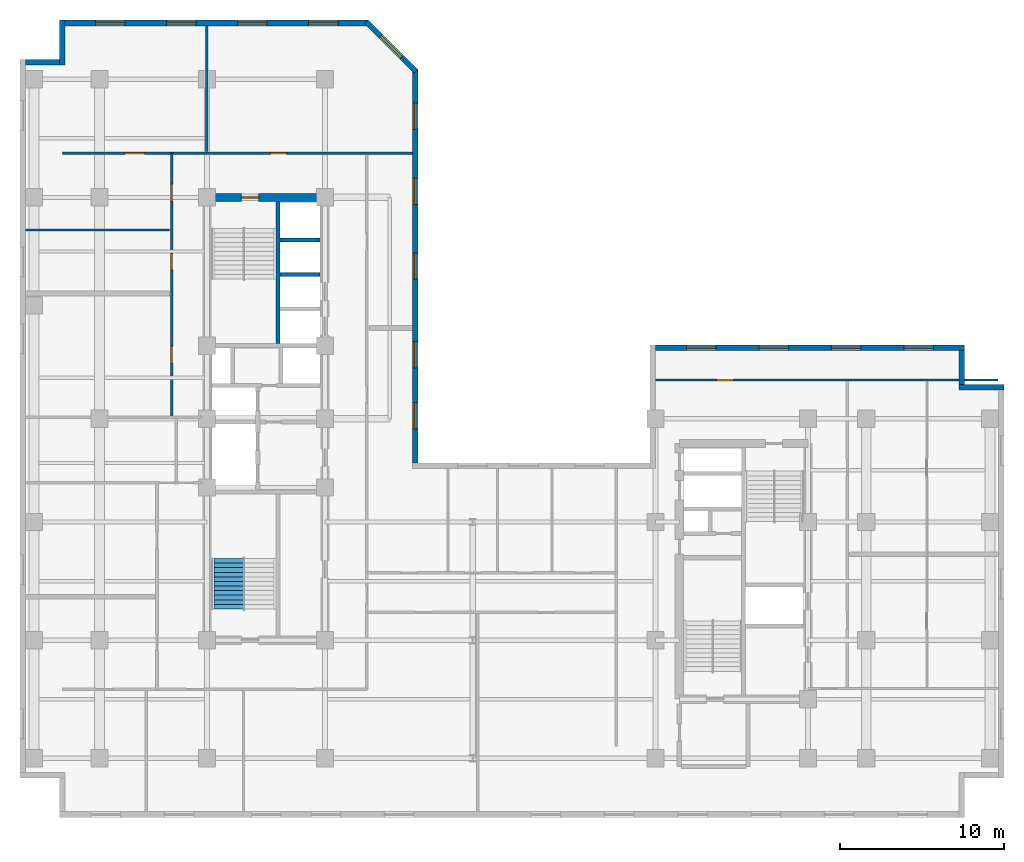
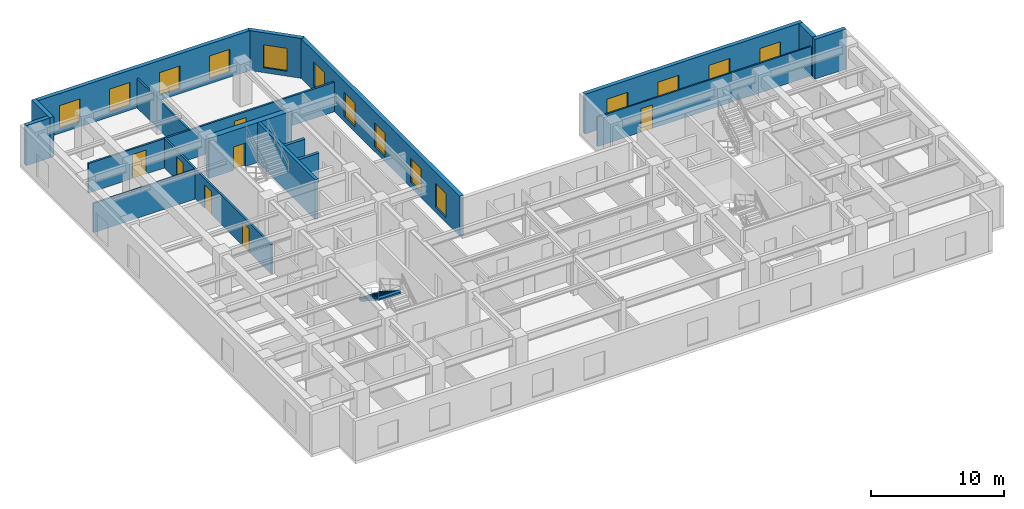
# One storey, part 6 of 10: 17 walls, 14 windows, 7 doors, 1 stair flight, 21 openings, 1 element without a shape of its own.
"""IFC4 building model written with IfcOpenShell, lengths in metres."""

from ifc_helpers import new_model, entity, si_unit, converted_unit, direction, frame, origin_with_axes, origin_2d_with_axis, place, context, subcontext, project, spatial, polyline, rectangle, outline, extrude, material, layer, layer_set, type_object, element, fill, aggregate, save


model = new_model("IFC4")

# Units and contexts
model_context = context("Model", 3, precision=1e-05, world=origin_with_axes(), true_north=direction((0.0, 1.0)))
body_context = subcontext(model_context, "Body", "Model", "MODEL_VIEW")
ifc_project = project(units=[si_unit("LENGTHUNIT", "METRE"), si_unit("AREAUNIT", "SQUARE_METRE"), si_unit("VOLUMEUNIT", "CUBIC_METRE"), converted_unit("PLANEANGLEUNIT", "DEGREE", entity("IfcPlaneAngleMeasure", 0.017453292519943295), si_unit("PLANEANGLEUNIT", "RADIAN"), dimensions=[0, 0, 0, 0, 0, 0, 0]), si_unit("MASSUNIT", "GRAM", prefix="KILO"), si_unit("THERMODYNAMICTEMPERATUREUNIT", "KELVIN")], contexts=[model_context])

# Site, building, storey
site_placement = place(None, origin_with_axes())
site = spatial("IfcSite", under=ifc_project, at=site_placement, CompositionType="ELEMENT")
building_placement = place(site_placement, origin_with_axes())
building = spatial("IfcBuilding", under=site, at=building_placement, Name="Varnlund Millrace Tower", CompositionType="ELEMENT")
storey_placement = place(building_placement, frame((0.0, 0.0, 168.0), z_axis=(0.0, 0.0, 1.0), x_axis=(1.0, 0.0, 0.0)))
storey = spatial("IfcBuildingStorey", under=building, at=storey_placement, Name="L41", CompositionType="ELEMENT", Elevation=168.0)

# Wall, opening, door
ifc_material_1 = material(Name="Concrete C70/85", Category="concrete")
ifc_layer_1 = layer(ifc_material_1, 0.5, Name="Concrete C70/85")
ifc_layer_set_1 = layer_set([ifc_layer_1], Name="Concrete C70/85")
wall_type_1 = type_object("IfcWallType", Name="Type-CoreWall-Shear-500-C70", PredefinedType="SHEAR", material=ifc_layer_set_1)
wall_1_placement = place(storey_placement, frame((11.4, 37.8, 0.0), z_axis=(0.0, 0.0, 1.0), x_axis=(1.0, 0.0, 0.0)))
wall_1 = element("IfcWall", 1, at=wall_1_placement, inside=storey, type_object=wall_type_1, Name="Type-CoreWall-Shear-500-C70", PredefinedType="SHEAR", context=body_context, shape_type="SweptSolid", body=[
    extrude(outline(polyline([(0.0, -0.25), (7.2, -0.25), (7.2, 0.25), (0.0, 0.25), (0.0, -0.25)])), origin_with_axes(), (0.0, 0.0, 1.0), 3.66),
])
opening_1_placement = place(wall_1_placement, frame((2.625, 0.0, 0.0), z_axis=(0.0, 0.0, 1.0), x_axis=(1.0, 0.0, 0.0)))
opening_1 = element("IfcOpeningElement", 2, at=opening_1_placement, cuts=wall_1, Name="Opening L41:DR-STA2", PredefinedType="OPENING", context=body_context, shape_type="SweptSolid", body=[
    extrude(rectangle(XDim=1.05, YDim=0.52, at=origin_2d_with_axis()), origin_with_axes(), (0.0, 0.0, 1.0), 2.15),
])
ifc_material_2 = material(Name="Fire-rated hollow steel door", Category="steel")
door_type_1 = type_object("IfcDoorType", Name="Type-FireDoor-Stair-1050X2150", OperationType="NOTDEFINED", PredefinedType="DOOR", material=ifc_material_2)
door_1_placement = place(wall_1_placement, frame((2.625, 0.0, 0.0), z_axis=(0.0, 0.0, 1.0), x_axis=(1.0, 0.0, 0.0)))
door_1 = element("IfcDoor", 3, at=door_1_placement, inside=storey, type_object=door_type_1, Name="Type-FireDoor-Stair-1050X2150", OperationType="SINGLE_SWING_RIGHT", OverallHeight=2.15, OverallWidth=1.05, PredefinedType="DOOR", context=body_context, shape_type="SweptSolid", body=[
    extrude(rectangle(XDim=1.05, YDim=0.09, at=origin_2d_with_axis()), origin_with_axes(), (0.0, 0.0, 1.0), 2.15),
])
fill(opening_1, door_1)

# Wall, openings, windows
ifc_material_3 = material(Name="Precast concrete C50/60", Category="concrete")
ifc_layer_2 = layer(ifc_material_3, 0.34, Name="Precast concrete C50/60")
ifc_layer_set_2 = layer_set([ifc_layer_2], Name="Precast concrete C50/60")
wall_type_2 = type_object("IfcWallType", Name="Type-ExtWall-Precast-Upper-340", PredefinedType="SOLIDWALL", material=ifc_layer_set_2)
wall_2_placement = place(storey_placement, frame((38.74, 28.63, 0.0), z_axis=(0.0, 0.0, 1.0), x_axis=(1.0, 0.0, 0.0)))
wall_2 = element("IfcWall", 4, at=wall_2_placement, inside=storey, type_object=wall_type_2, Name="Type-ExtWall-Precast-Upper-340", PredefinedType="SOLIDWALL", context=body_context, shape_type="SweptSolid", body=[
    extrude(outline(polyline([(0.0, -0.17), (18.86, -0.17), (18.86, 0.17), (0.0, 0.17), (0.0, -0.17)])), origin_with_axes(), (0.0, 0.0, 1.0), 3.66),
])
opening_2_placement = place(wall_2_placement, frame((2.808, 0.0, 0.45), z_axis=(0.0, 0.0, 1.0), x_axis=(1.0, 0.0, 0.0)))
opening_2 = element("IfcOpeningElement", 5, at=opening_2_placement, cuts=wall_2, Name="Opening L41:WN-01", PredefinedType="OPENING", context=body_context, shape_type="SweptSolid", body=[
    extrude(rectangle(XDim=1.8, YDim=0.36, at=origin_2d_with_axis()), origin_with_axes(), (0.0, 0.0, 1.0), 2.1),
])
opening_3_placement = place(wall_2_placement, frame((7.222, 0.0, 0.45), z_axis=(0.0, 0.0, 1.0), x_axis=(1.0, 0.0, 0.0)))
opening_3 = element("IfcOpeningElement", 6, at=opening_3_placement, cuts=wall_2, Name="Opening L41:WN-02", PredefinedType="OPENING", context=body_context, shape_type="SweptSolid", body=[
    extrude(rectangle(XDim=1.8, YDim=0.36, at=origin_2d_with_axis()), origin_with_axes(), (0.0, 0.0, 1.0), 2.1),
])
opening_4_placement = place(wall_2_placement, frame((11.637, 0.0, 0.45), z_axis=(0.0, 0.0, 1.0), x_axis=(1.0, 0.0, 0.0)))
opening_4 = element("IfcOpeningElement", 7, at=opening_4_placement, cuts=wall_2, Name="Opening L41:WN-03", PredefinedType="OPENING", context=body_context, shape_type="SweptSolid", body=[
    extrude(rectangle(XDim=1.8, YDim=0.36, at=origin_2d_with_axis()), origin_with_axes(), (0.0, 0.0, 1.0), 2.1),
])
opening_5_placement = place(wall_2_placement, frame((16.053, 0.0, 0.45), z_axis=(0.0, 0.0, 1.0), x_axis=(1.0, 0.0, 0.0)))
opening_5 = element("IfcOpeningElement", 8, at=opening_5_placement, cuts=wall_2, Name="Opening L41:WN-04", PredefinedType="OPENING", context=body_context, shape_type="SweptSolid", body=[
    extrude(rectangle(XDim=1.8, YDim=0.36, at=origin_2d_with_axis()), origin_with_axes(), (0.0, 0.0, 1.0), 2.1),
])
ifc_material_4 = material(Name="Argon low-e triple glazing in thermally broken bronze frame", Category="glass")
window_type_1 = type_object("IfcWindowType", Name="Type-Window-Punched-1800X2100", PartitioningType="SINGLE_PANEL", PredefinedType="WINDOW", material=ifc_material_4)
window_1_placement = place(wall_2_placement, frame((2.808, 0.0, 0.45), z_axis=(0.0, 0.0, 1.0), x_axis=(1.0, 0.0, 0.0)))
window_1 = element("IfcWindow", 9, at=window_1_placement, inside=storey, type_object=window_type_1, Name="Type-Window-Punched-1800X2100", OverallHeight=2.1, OverallWidth=1.8, PredefinedType="WINDOW", context=body_context, shape_type="SweptSolid", body=[
    extrude(rectangle(XDim=1.8, YDim=0.09, at=origin_2d_with_axis()), origin_with_axes(), (0.0, 0.0, 1.0), 2.1),
])
fill(opening_2, window_1)
window_2_placement = place(wall_2_placement, frame((7.222, 0.0, 0.45), z_axis=(0.0, 0.0, 1.0), x_axis=(1.0, 0.0, 0.0)))
window_2 = element("IfcWindow", 10, at=window_2_placement, inside=storey, type_object=window_type_1, Name="Type-Window-Punched-1800X2100", OverallHeight=2.1, OverallWidth=1.8, PredefinedType="WINDOW", context=body_context, shape_type="SweptSolid", body=[
    extrude(rectangle(XDim=1.8, YDim=0.09, at=origin_2d_with_axis()), origin_with_axes(), (0.0, 0.0, 1.0), 2.1),
])
fill(opening_3, window_2)
window_3_placement = place(wall_2_placement, frame((11.637, 0.0, 0.45), z_axis=(0.0, 0.0, 1.0), x_axis=(1.0, 0.0, 0.0)))
window_3 = element("IfcWindow", 11, at=window_3_placement, inside=storey, type_object=window_type_1, Name="Type-Window-Punched-1800X2100", OverallHeight=2.1, OverallWidth=1.8, PredefinedType="WINDOW", context=body_context, shape_type="SweptSolid", body=[
    extrude(rectangle(XDim=1.8, YDim=0.09, at=origin_2d_with_axis()), origin_with_axes(), (0.0, 0.0, 1.0), 2.1),
])
fill(opening_4, window_3)
window_4_placement = place(wall_2_placement, frame((16.053, 0.0, 0.45), z_axis=(0.0, 0.0, 1.0), x_axis=(1.0, 0.0, 0.0)))
window_4 = element("IfcWindow", 12, at=window_4_placement, inside=storey, type_object=window_type_1, Name="Type-Window-Punched-1800X2100", OverallHeight=2.1, OverallWidth=1.8, PredefinedType="WINDOW", context=body_context, shape_type="SweptSolid", body=[
    extrude(rectangle(XDim=1.8, YDim=0.09, at=origin_2d_with_axis()), origin_with_axes(), (0.0, 0.0, 1.0), 2.1),
])
fill(opening_5, window_4)

# Walls
wall_3_placement = place(storey_placement, frame((57.43, 28.46, 0.0), z_axis=(0.0, 0.0, 1.0), x_axis=(0.0, -1.0, 0.0)))
element("IfcWall", 13, at=wall_3_placement, inside=storey, type_object=wall_type_2, Name="Type-ExtWall-Precast-Upper-340", PredefinedType="SOLIDWALL", context=body_context, shape_type="SweptSolid", body=[
    extrude(outline(polyline([(0.0, -0.17), (2.06, -0.17), (2.06, 0.17), (0.0, 0.17), (0.0, -0.17)])), origin_with_axes(), (0.0, 0.0, 1.0), 3.66),
])
wall_4_placement = place(storey_placement, frame((57.26, 26.23, 0.0), z_axis=(0.0, 0.0, 1.0), x_axis=(1.0, 0.0, 0.0)))
element("IfcWall", 14, at=wall_4_placement, inside=storey, type_object=wall_type_2, Name="Type-ExtWall-Precast-Upper-340", PredefinedType="SOLIDWALL", context=body_context, shape_type="SweptSolid", body=[
    extrude(outline(polyline([(0.0, -0.17), (2.74, -0.17), (2.74, 0.17), (0.0, 0.17), (0.0, -0.17)])), origin_with_axes(), (0.0, 0.0, 1.0), 3.66),
])
wall_5_placement = place(storey_placement, frame((0.34, 46.03, 0.0), z_axis=(0.0, 0.0, 1.0), x_axis=(1.0, 0.0, 0.0)))
element("IfcWall", 15, at=wall_5_placement, inside=storey, type_object=wall_type_2, Name="Type-ExtWall-Precast-Upper-340", PredefinedType="SOLIDWALL", context=body_context, shape_type="SweptSolid", body=[
    extrude(outline(polyline([(0.0, -0.17), (2.06, -0.17), (2.06, 0.17), (0.0, 0.17), (0.0, -0.17)])), origin_with_axes(), (0.0, 0.0, 1.0), 3.66),
])
wall_6_placement = place(storey_placement, frame((2.57, 45.86, 0.0), z_axis=(0.0, 0.0, 1.0), x_axis=(0.0, 1.0, 0.0)))
element("IfcWall", 16, at=wall_6_placement, inside=storey, type_object=wall_type_2, Name="Type-ExtWall-Precast-Upper-340", PredefinedType="SOLIDWALL", context=body_context, shape_type="SweptSolid", body=[
    extrude(outline(polyline([(0.0, -0.17), (2.74, -0.17), (2.74, 0.17), (0.0, 0.17), (0.0, -0.17)])), origin_with_axes(), (0.0, 0.0, 1.0), 3.66),
])

# Wall, openings, windows
wall_7_placement = place(storey_placement, frame((2.74, 48.43, 0.0), z_axis=(0.0, 0.0, 1.0), x_axis=(1.0, 0.0, 0.0)))
wall_7 = element("IfcWall", 17, at=wall_7_placement, inside=storey, type_object=wall_type_2, Name="Type-ExtWall-Precast-Upper-340", PredefinedType="SOLIDWALL", context=body_context, shape_type="SweptSolid", body=[
    extrude(outline(polyline([(0.0, -0.17), (18.519, -0.17), (18.519, 0.17), (0.0, 0.17), (0.0, -0.17)])), origin_with_axes(), (0.0, 0.0, 1.0), 3.66),
])
opening_6_placement = place(wall_7_placement, frame((2.765, 0.0, 0.45), z_axis=(0.0, 0.0, 1.0), x_axis=(1.0, 0.0, 0.0)))
opening_6 = element("IfcOpeningElement", 18, at=opening_6_placement, cuts=wall_7, Name="Opening L41:WN-24", PredefinedType="OPENING", context=body_context, shape_type="SweptSolid", body=[
    extrude(rectangle(XDim=1.8, YDim=0.36, at=origin_2d_with_axis()), origin_with_axes(), (0.0, 0.0, 1.0), 2.1),
])
opening_7_placement = place(wall_7_placement, frame((7.095, 0.0, 0.45), z_axis=(0.0, 0.0, 1.0), x_axis=(1.0, 0.0, 0.0)))
opening_7 = element("IfcOpeningElement", 19, at=opening_7_placement, cuts=wall_7, Name="Opening L41:WN-25", PredefinedType="OPENING", context=body_context, shape_type="SweptSolid", body=[
    extrude(rectangle(XDim=1.8, YDim=0.36, at=origin_2d_with_axis()), origin_with_axes(), (0.0, 0.0, 1.0), 2.1),
])
opening_8_placement = place(wall_7_placement, frame((11.424, 0.0, 0.45), z_axis=(0.0, 0.0, 1.0), x_axis=(1.0, 0.0, 0.0)))
opening_8 = element("IfcOpeningElement", 20, at=opening_8_placement, cuts=wall_7, Name="Opening L41:WN-26", PredefinedType="OPENING", context=body_context, shape_type="SweptSolid", body=[
    extrude(rectangle(XDim=1.8, YDim=0.36, at=origin_2d_with_axis()), origin_with_axes(), (0.0, 0.0, 1.0), 2.1),
])
opening_9_placement = place(wall_7_placement, frame((15.754, 0.0, 0.45), z_axis=(0.0, 0.0, 1.0), x_axis=(1.0, 0.0, 0.0)))
opening_9 = element("IfcOpeningElement", 21, at=opening_9_placement, cuts=wall_7, Name="Opening L41:WN-27", PredefinedType="OPENING", context=body_context, shape_type="SweptSolid", body=[
    extrude(rectangle(XDim=1.8, YDim=0.36, at=origin_2d_with_axis()), origin_with_axes(), (0.0, 0.0, 1.0), 2.1),
])
window_5_placement = place(wall_7_placement, frame((2.765, 0.0, 0.45), z_axis=(0.0, 0.0, 1.0), x_axis=(1.0, 0.0, 0.0)))
window_5 = element("IfcWindow", 22, at=window_5_placement, inside=storey, type_object=window_type_1, Name="Type-Window-Punched-1800X2100", OverallHeight=2.1, OverallWidth=1.8, PredefinedType="WINDOW", context=body_context, shape_type="SweptSolid", body=[
    extrude(rectangle(XDim=1.8, YDim=0.09, at=origin_2d_with_axis()), origin_with_axes(), (0.0, 0.0, 1.0), 2.1),
])
fill(opening_6, window_5)
window_6_placement = place(wall_7_placement, frame((7.095, 0.0, 0.45), z_axis=(0.0, 0.0, 1.0), x_axis=(1.0, 0.0, 0.0)))
window_6 = element("IfcWindow", 23, at=window_6_placement, inside=storey, type_object=window_type_1, Name="Type-Window-Punched-1800X2100", OverallHeight=2.1, OverallWidth=1.8, PredefinedType="WINDOW", context=body_context, shape_type="SweptSolid", body=[
    extrude(rectangle(XDim=1.8, YDim=0.09, at=origin_2d_with_axis()), origin_with_axes(), (0.0, 0.0, 1.0), 2.1),
])
fill(opening_7, window_6)
window_7_placement = place(wall_7_placement, frame((11.424, 0.0, 0.45), z_axis=(0.0, 0.0, 1.0), x_axis=(1.0, 0.0, 0.0)))
window_7 = element("IfcWindow", 24, at=window_7_placement, inside=storey, type_object=window_type_1, Name="Type-Window-Punched-1800X2100", OverallHeight=2.1, OverallWidth=1.8, PredefinedType="WINDOW", context=body_context, shape_type="SweptSolid", body=[
    extrude(rectangle(XDim=1.8, YDim=0.09, at=origin_2d_with_axis()), origin_with_axes(), (0.0, 0.0, 1.0), 2.1),
])
fill(opening_8, window_7)
window_8_placement = place(wall_7_placement, frame((15.754, 0.0, 0.45), z_axis=(0.0, 0.0, 1.0), x_axis=(1.0, 0.0, 0.0)))
window_8 = element("IfcWindow", 25, at=window_8_placement, inside=storey, type_object=window_type_1, Name="Type-Window-Punched-1800X2100", OverallHeight=2.1, OverallWidth=1.8, PredefinedType="WINDOW", context=body_context, shape_type="SweptSolid", body=[
    extrude(rectangle(XDim=1.8, YDim=0.09, at=origin_2d_with_axis()), origin_with_axes(), (0.0, 0.0, 1.0), 2.1),
])
fill(opening_9, window_8)

# Wall, opening, window
wall_8_placement = place(storey_placement, frame((21.125, 48.494, 0.0), z_axis=(0.0, 0.0, 1.0), x_axis=(0.707107, -0.707107, 0.0)))
wall_8 = element("IfcWall", 26, at=wall_8_placement, inside=storey, type_object=wall_type_2, Name="Type-ExtWall-Precast-Upper-340", PredefinedType="SOLIDWALL", context=body_context, shape_type="SweptSolid", body=[
    extrude(outline(polyline([(0.0, -0.17), (4.26244, -0.17), (4.26244, 0.17), (0.0, 0.17), (0.0, -0.17)])), origin_with_axes(), (0.0, 0.0, 1.0), 3.66),
])
opening_10_placement = place(wall_8_placement, frame((2.131, 0.0, 0.45), z_axis=(0.0, 0.0, 1.0), x_axis=(1.0, 0.0, 0.0)))
opening_10 = element("IfcOpeningElement", 27, at=opening_10_placement, cuts=wall_8, Name="Opening L41:WN-28", PredefinedType="OPENING", context=body_context, shape_type="SweptSolid", body=[
    extrude(rectangle(XDim=1.8, YDim=0.36, at=origin_2d_with_axis()), origin_with_axes(), (0.0, 0.0, 1.0), 2.1),
])
window_9_placement = place(wall_8_placement, frame((2.131, 0.0, 0.45), z_axis=(0.0, 0.0, 1.0), x_axis=(1.0, 0.0, 0.0)))
window_9 = element("IfcWindow", 28, at=window_9_placement, inside=storey, type_object=window_type_1, Name="Type-Window-Punched-1800X2100", OverallHeight=2.1, OverallWidth=1.8, PredefinedType="WINDOW", context=body_context, shape_type="SweptSolid", body=[
    extrude(rectangle(XDim=1.8, YDim=0.09, at=origin_2d_with_axis()), origin_with_axes(), (0.0, 0.0, 1.0), 2.1),
])
fill(opening_10, window_9)

# Wall, openings, windows
wall_9_placement = place(storey_placement, frame((24.089, 45.62, 0.0), z_axis=(0.0, 0.0, 1.0), x_axis=(0.0, -1.0, 0.0)))
wall_9 = element("IfcWall", 29, at=wall_9_placement, inside=storey, type_object=wall_type_2, Name="Type-ExtWall-Precast-Upper-340", PredefinedType="SOLIDWALL", context=body_context, shape_type="SweptSolid", body=[
    extrude(outline(polyline([(0.0, -0.17), (24.02, -0.17), (24.02, 0.17), (0.0, 0.17), (0.0, -0.17)])), origin_with_axes(), (0.0, 0.0, 1.0), 3.66),
])
opening_11_placement = place(wall_9_placement, frame((2.882, 0.0, 0.45), z_axis=(0.0, 0.0, 1.0), x_axis=(1.0, 0.0, 0.0)))
opening_11 = element("IfcOpeningElement", 30, at=opening_11_placement, cuts=wall_9, Name="Opening L41:WN-29", PredefinedType="OPENING", context=body_context, shape_type="SweptSolid", body=[
    extrude(rectangle(XDim=1.6, YDim=0.36, at=origin_2d_with_axis()), origin_with_axes(), (0.0, 0.0, 1.0), 2.2),
])
opening_12_placement = place(wall_9_placement, frame((7.446, 0.0, 0.45), z_axis=(0.0, 0.0, 1.0), x_axis=(1.0, 0.0, 0.0)))
opening_12 = element("IfcOpeningElement", 31, at=opening_12_placement, cuts=wall_9, Name="Opening L41:WN-30", PredefinedType="OPENING", context=body_context, shape_type="SweptSolid", body=[
    extrude(rectangle(XDim=1.6, YDim=0.36, at=origin_2d_with_axis()), origin_with_axes(), (0.0, 0.0, 1.0), 2.2),
])
opening_13_placement = place(wall_9_placement, frame((12.01, 0.0, 0.45), z_axis=(0.0, 0.0, 1.0), x_axis=(1.0, 0.0, 0.0)))
opening_13 = element("IfcOpeningElement", 32, at=opening_13_placement, cuts=wall_9, Name="Opening L41:WN-31", PredefinedType="OPENING", context=body_context, shape_type="SweptSolid", body=[
    extrude(rectangle(XDim=1.6, YDim=0.36, at=origin_2d_with_axis()), origin_with_axes(), (0.0, 0.0, 1.0), 2.2),
])
opening_14_placement = place(wall_9_placement, frame((17.424, 0.0, 0.45), z_axis=(0.0, 0.0, 1.0), x_axis=(1.0, 0.0, 0.0)))
opening_14 = element("IfcOpeningElement", 33, at=opening_14_placement, cuts=wall_9, Name="Opening L41:WN-32", PredefinedType="OPENING", context=body_context, shape_type="SweptSolid", body=[
    extrude(rectangle(XDim=1.6, YDim=0.36, at=origin_2d_with_axis()), origin_with_axes(), (0.0, 0.0, 1.0), 2.2),
])
opening_15_placement = place(wall_9_placement, frame((21.138, 0.0, 0.45), z_axis=(0.0, 0.0, 1.0), x_axis=(1.0, 0.0, 0.0)))
opening_15 = element("IfcOpeningElement", 34, at=opening_15_placement, cuts=wall_9, Name="Opening L41:WN-33", PredefinedType="OPENING", context=body_context, shape_type="SweptSolid", body=[
    extrude(rectangle(XDim=1.6, YDim=0.36, at=origin_2d_with_axis()), origin_with_axes(), (0.0, 0.0, 1.0), 2.2),
])
window_type_2 = type_object("IfcWindowType", Name="Type-Window-Slot-1600X2200", PartitioningType="SINGLE_PANEL", PredefinedType="WINDOW", material=ifc_material_4)
window_10_placement = place(wall_9_placement, frame((2.882, 0.0, 0.45), z_axis=(0.0, 0.0, 1.0), x_axis=(1.0, 0.0, 0.0)))
window_10 = element("IfcWindow", 35, at=window_10_placement, inside=storey, type_object=window_type_2, Name="Type-Window-Slot-1600X2200", OverallHeight=2.2, OverallWidth=1.6, PredefinedType="WINDOW", context=body_context, shape_type="SweptSolid", body=[
    extrude(rectangle(XDim=1.6, YDim=0.09, at=origin_2d_with_axis()), origin_with_axes(), (0.0, 0.0, 1.0), 2.2),
])
fill(opening_11, window_10)
window_11_placement = place(wall_9_placement, frame((7.446, 0.0, 0.45), z_axis=(0.0, 0.0, 1.0), x_axis=(1.0, 0.0, 0.0)))
window_11 = element("IfcWindow", 36, at=window_11_placement, inside=storey, type_object=window_type_2, Name="Type-Window-Slot-1600X2200", OverallHeight=2.2, OverallWidth=1.6, PredefinedType="WINDOW", context=body_context, shape_type="SweptSolid", body=[
    extrude(rectangle(XDim=1.6, YDim=0.09, at=origin_2d_with_axis()), origin_with_axes(), (0.0, 0.0, 1.0), 2.2),
])
fill(opening_12, window_11)
window_12_placement = place(wall_9_placement, frame((12.01, 0.0, 0.45), z_axis=(0.0, 0.0, 1.0), x_axis=(1.0, 0.0, 0.0)))
window_12 = element("IfcWindow", 37, at=window_12_placement, inside=storey, type_object=window_type_2, Name="Type-Window-Slot-1600X2200", OverallHeight=2.2, OverallWidth=1.6, PredefinedType="WINDOW", context=body_context, shape_type="SweptSolid", body=[
    extrude(rectangle(XDim=1.6, YDim=0.09, at=origin_2d_with_axis()), origin_with_axes(), (0.0, 0.0, 1.0), 2.2),
])
fill(opening_13, window_12)
window_13_placement = place(wall_9_placement, frame((17.424, 0.0, 0.45), z_axis=(0.0, 0.0, 1.0), x_axis=(1.0, 0.0, 0.0)))
window_13 = element("IfcWindow", 38, at=window_13_placement, inside=storey, type_object=window_type_2, Name="Type-Window-Slot-1600X2200", OverallHeight=2.2, OverallWidth=1.6, PredefinedType="WINDOW", context=body_context, shape_type="SweptSolid", body=[
    extrude(rectangle(XDim=1.6, YDim=0.09, at=origin_2d_with_axis()), origin_with_axes(), (0.0, 0.0, 1.0), 2.2),
])
fill(opening_14, window_13)
window_14_placement = place(wall_9_placement, frame((21.138, 0.0, 0.45), z_axis=(0.0, 0.0, 1.0), x_axis=(1.0, 0.0, 0.0)))
window_14 = element("IfcWindow", 39, at=window_14_placement, inside=storey, type_object=window_type_2, Name="Type-Window-Slot-1600X2200", OverallHeight=2.2, OverallWidth=1.6, PredefinedType="WINDOW", context=body_context, shape_type="SweptSolid", body=[
    extrude(rectangle(XDim=1.6, YDim=0.09, at=origin_2d_with_axis()), origin_with_axes(), (0.0, 0.0, 1.0), 2.2),
])
fill(opening_15, window_14)

# Wall, openings, doors
ifc_material_5 = material(Name="Fire-rated gypsum board on cold-formed steel framing", Category="steel")
ifc_layer_3 = layer(ifc_material_5, 0.16, Name="Fire-rated gypsum board on cold-formed steel framing")
ifc_layer_set_3 = layer_set([ifc_layer_3], Name="Fire-rated gypsum board on cold-formed steel framing")
wall_type_3 = type_object("IfcWallType", Name="Type-Partition-Corridor-160", PredefinedType="PARTITIONING", material=ifc_layer_set_3)
wall_10_placement = place(storey_placement, frame((2.6, 40.5, 0.0), z_axis=(0.0, 0.0, 1.0), x_axis=(1.0, 0.0, 0.0)))
wall_10 = element("IfcWall", 40, at=wall_10_placement, inside=storey, type_object=wall_type_3, Name="Type-Partition-Corridor-160", PredefinedType="PARTITIONING", context=body_context, shape_type="SweptSolid", body=[
    extrude(outline(polyline([(0.0, -0.08), (21.324, -0.08), (21.324, 0.08), (0.0, 0.08), (0.0, -0.08)])), origin_with_axes(), (0.0, 0.0, 1.0), 2.7),
])
opening_16_placement = place(wall_10_placement, frame((4.395, 0.0, 0.0), z_axis=(0.0, 0.0, 1.0), x_axis=(1.0, 0.0, 0.0)))
opening_16 = element("IfcOpeningElement", 41, at=opening_16_placement, cuts=wall_10, Name="Opening L41:DR-WAN-01", PredefinedType="OPENING", context=body_context, shape_type="SweptSolid", body=[
    extrude(rectangle(XDim=1.2, YDim=0.18, at=origin_2d_with_axis()), origin_with_axes(), (0.0, 0.0, 1.0), 2.2),
])
opening_17_placement = place(wall_10_placement, frame((13.16, 0.0, 0.0), z_axis=(0.0, 0.0, 1.0), x_axis=(1.0, 0.0, 0.0)))
opening_17 = element("IfcOpeningElement", 42, at=opening_17_placement, cuts=wall_10, Name="Opening L41:DR-WAN-02", PredefinedType="OPENING", context=body_context, shape_type="SweptSolid", body=[
    extrude(rectangle(XDim=1.0, YDim=0.18, at=origin_2d_with_axis()), origin_with_axes(), (0.0, 0.0, 1.0), 2.15),
])
ifc_material_6 = material(Name="Wide executive white oak acoustic door")
door_type_2 = type_object("IfcDoorType", Name="Type-IntDoor-Exec-1200X2200", OperationType="NOTDEFINED", PredefinedType="DOOR", material=ifc_material_6)
door_2_placement = place(wall_10_placement, frame((4.395, 0.0, 0.0), z_axis=(0.0, 0.0, 1.0), x_axis=(1.0, 0.0, 0.0)))
door_2 = element("IfcDoor", 43, at=door_2_placement, inside=storey, type_object=door_type_2, Name="Type-IntDoor-Exec-1200X2200", OperationType="SINGLE_SWING_LEFT", OverallHeight=2.2, OverallWidth=1.2, PredefinedType="DOOR", context=body_context, shape_type="SweptSolid", body=[
    extrude(rectangle(XDim=1.2, YDim=0.09, at=origin_2d_with_axis()), origin_with_axes(), (0.0, 0.0, 1.0), 2.2),
])
fill(opening_16, door_2)
ifc_material_7 = material(Name="Solid-core white oak and bronze frame door")
door_type_3 = type_object("IfcDoorType", Name="Type-IntDoor-Office-1000X2150", OperationType="NOTDEFINED", PredefinedType="DOOR", material=ifc_material_7)
door_3_placement = place(wall_10_placement, frame((13.16, 0.0, 0.0), z_axis=(0.0, 0.0, 1.0), x_axis=(1.0, 0.0, 0.0)))
door_3 = element("IfcDoor", 44, at=door_3_placement, inside=storey, type_object=door_type_3, Name="Type-IntDoor-Office-1000X2150", OperationType="SINGLE_SWING_RIGHT", OverallHeight=2.15, OverallWidth=1.0, PredefinedType="DOOR", context=body_context, shape_type="SweptSolid", body=[
    extrude(rectangle(XDim=1.0, YDim=0.09, at=origin_2d_with_axis()), origin_with_axes(), (0.0, 0.0, 1.0), 2.15),
])
fill(opening_17, door_3)

wall_11_placement = place(storey_placement, frame((9.25, 24.4, 0.0), z_axis=(0.0, 0.0, 1.0), x_axis=(0.0, 1.0, 0.0)))
wall_11 = element("IfcWall", 45, at=wall_11_placement, inside=storey, type_object=wall_type_3, Name="Type-Partition-Corridor-160", PredefinedType="PARTITIONING", context=body_context, shape_type="SweptSolid", body=[
    extrude(outline(polyline([(0.0, -0.08), (16.1, -0.08), (16.1, 0.08), (0.0, 0.08), (0.0, -0.08)])), origin_with_axes(), (0.0, 0.0, 1.0), 2.7),
])
opening_18_placement = place(wall_11_placement, frame((3.8075, 0.0, 0.0), z_axis=(0.0, 0.0, 1.0), x_axis=(1.0, 0.0, 0.0)))
opening_18 = element("IfcOpeningElement", 46, at=opening_18_placement, cuts=wall_11, Name="Opening L41:DR-WN-01", PredefinedType="OPENING", context=body_context, shape_type="SweptSolid", body=[
    extrude(rectangle(XDim=1.0, YDim=0.18, at=origin_2d_with_axis()), origin_with_axes(), (0.0, 0.0, 1.0), 2.15),
])
opening_19_placement = place(wall_11_placement, frame((9.467, 0.0, 0.0), z_axis=(0.0, 0.0, 1.0), x_axis=(1.0, 0.0, 0.0)))
opening_19 = element("IfcOpeningElement", 47, at=opening_19_placement, cuts=wall_11, Name="Opening L41:DR-WN-02", PredefinedType="OPENING", context=body_context, shape_type="SweptSolid", body=[
    extrude(rectangle(XDim=1.0, YDim=0.18, at=origin_2d_with_axis()), origin_with_axes(), (0.0, 0.0, 1.0), 2.15),
])
opening_20_placement = place(wall_11_placement, frame((13.6845, 0.0, 0.0), z_axis=(0.0, 0.0, 1.0), x_axis=(1.0, 0.0, 0.0)))
opening_20 = element("IfcOpeningElement", 48, at=opening_20_placement, cuts=wall_11, Name="Opening L41:DR-WN-03", PredefinedType="OPENING", context=body_context, shape_type="SweptSolid", body=[
    extrude(rectangle(XDim=1.0, YDim=0.18, at=origin_2d_with_axis()), origin_with_axes(), (0.0, 0.0, 1.0), 2.15),
])
door_4_placement = place(wall_11_placement, frame((3.8075, 0.0, 0.0), z_axis=(0.0, 0.0, 1.0), x_axis=(1.0, 0.0, 0.0)))
door_4 = element("IfcDoor", 49, at=door_4_placement, inside=storey, type_object=door_type_3, Name="Type-IntDoor-Office-1000X2150", OperationType="SINGLE_SWING_LEFT", OverallHeight=2.15, OverallWidth=1.0, PredefinedType="DOOR", context=body_context, shape_type="SweptSolid", body=[
    extrude(rectangle(XDim=1.0, YDim=0.09, at=origin_2d_with_axis()), origin_with_axes(), (0.0, 0.0, 1.0), 2.15),
])
fill(opening_18, door_4)
door_5_placement = place(wall_11_placement, frame((9.467, 0.0, 0.0), z_axis=(0.0, 0.0, 1.0), x_axis=(1.0, 0.0, 0.0)))
door_5 = element("IfcDoor", 50, at=door_5_placement, inside=storey, type_object=door_type_3, Name="Type-IntDoor-Office-1000X2150", OperationType="SINGLE_SWING_RIGHT", OverallHeight=2.15, OverallWidth=1.0, PredefinedType="DOOR", context=body_context, shape_type="SweptSolid", body=[
    extrude(rectangle(XDim=1.0, YDim=0.09, at=origin_2d_with_axis()), origin_with_axes(), (0.0, 0.0, 1.0), 2.15),
])
fill(opening_19, door_5)
door_6_placement = place(wall_11_placement, frame((13.6845, 0.0, 0.0), z_axis=(0.0, 0.0, 1.0), x_axis=(1.0, 0.0, 0.0)))
door_6 = element("IfcDoor", 51, at=door_6_placement, inside=storey, type_object=door_type_3, Name="Type-IntDoor-Office-1000X2150", OperationType="SINGLE_SWING_LEFT", OverallHeight=2.15, OverallWidth=1.0, PredefinedType="DOOR", context=body_context, shape_type="SweptSolid", body=[
    extrude(rectangle(XDim=1.0, YDim=0.09, at=origin_2d_with_axis()), origin_with_axes(), (0.0, 0.0, 1.0), 2.15),
])
fill(opening_20, door_6)

# Walls
ifc_material_8 = material(Name="Acoustic STC-50 gypsum board partition", Category="gypsum")
ifc_layer_4 = layer(ifc_material_8, 0.15, Name="Acoustic STC-50 gypsum board partition")
ifc_layer_set_4 = layer_set([ifc_layer_4], Name="Acoustic STC-50 gypsum board partition")
wall_type_4 = type_object("IfcWallType", Name="Type-Partition-Demising-150", PredefinedType="PARTITIONING", material=ifc_layer_set_4)
wall_12_placement = place(storey_placement, frame((11.4, 40.6, 0.0), z_axis=(0.0, 0.0, 1.0), x_axis=(0.0, 1.0, 0.0)))
element("IfcWall", 52, at=wall_12_placement, inside=storey, type_object=wall_type_4, Name="Type-Partition-Demising-150", PredefinedType="PARTITIONING", context=body_context, shape_type="SweptSolid", body=[
    extrude(outline(polyline([(0.0, -0.075), (7.665, -0.075), (7.665, 0.075), (0.0, 0.075), (0.0, -0.075)])), origin_with_axes(), (0.0, 0.0, 1.0), 2.7),
])
ifc_material_9 = material(Name="Gypsum board tenant partition", Category="gypsum")
ifc_layer_5 = layer(ifc_material_9, 0.125, Name="Gypsum board tenant partition")
ifc_layer_set_5 = layer_set([ifc_layer_5], Name="Gypsum board tenant partition")
wall_type_5 = type_object("IfcWallType", Name="Type-Partition-Tenant-125", PredefinedType="PARTITIONING", material=ifc_layer_set_5)
wall_13_placement = place(storey_placement, frame((0.335, 35.799, 0.0), z_axis=(0.0, 0.0, 1.0), x_axis=(1.0, 0.0, 0.0)))
element("IfcWall", 53, at=wall_13_placement, inside=storey, type_object=wall_type_5, Name="Type-Partition-Tenant-125", PredefinedType="PARTITIONING", context=body_context, shape_type="SweptSolid", body=[
    extrude(outline(polyline([(0.0, -0.0625), (8.795, -0.0625), (8.795, 0.0625), (0.0, 0.0625), (0.0, -0.0625)])), origin_with_axes(), (0.0, 0.0, 1.0), 2.7),
])

# Wall, opening, door
wall_14_placement = place(storey_placement, frame((38.735, 26.65, 0.0), z_axis=(0.0, 0.0, 1.0), x_axis=(1.0, 0.0, 0.0)))
wall_14 = element("IfcWall", 54, at=wall_14_placement, inside=storey, type_object=wall_type_5, Name="Type-Partition-Tenant-125", PredefinedType="PARTITIONING", context=body_context, shape_type="SweptSolid", body=[
    extrude(outline(polyline([(0.0, -0.0625), (20.905, -0.0625), (20.905, 0.0625), (0.0, 0.0625), (0.0, -0.0625)])), origin_with_axes(), (0.0, 0.0, 1.0), 2.7),
])
opening_21_placement = place(wall_14_placement, frame((4.265, 0.0, 0.0), z_axis=(0.0, 0.0, 1.0), x_axis=(1.0, 0.0, 0.0)))
opening_21 = element("IfcOpeningElement", 55, at=opening_21_placement, cuts=wall_14, Name="Opening L41:DR-WBN-01", PredefinedType="OPENING", context=body_context, shape_type="SweptSolid", body=[
    extrude(rectangle(XDim=1.0, YDim=0.145, at=origin_2d_with_axis()), origin_with_axes(), (0.0, 0.0, 1.0), 2.15),
])
door_7_placement = place(wall_14_placement, frame((4.265, 0.0, 0.0), z_axis=(0.0, 0.0, 1.0), x_axis=(1.0, 0.0, 0.0)))
door_7 = element("IfcDoor", 56, at=door_7_placement, inside=storey, type_object=door_type_3, Name="Type-IntDoor-Office-1000X2150", OperationType="SINGLE_SWING_RIGHT", OverallHeight=2.15, OverallWidth=1.0, PredefinedType="DOOR", context=body_context, shape_type="SweptSolid", body=[
    extrude(rectangle(XDim=1.0, YDim=0.075, at=origin_2d_with_axis()), origin_with_axes(), (0.0, 0.0, 1.0), 2.15),
])
fill(opening_21, door_7)

# Walls
ifc_material_10 = material(Name="Concrete C60/75", Category="concrete")
ifc_layer_6 = layer(ifc_material_10, 0.25, Name="Concrete C60/75")
ifc_layer_set_6 = layer_set([ifc_layer_6], Name="Concrete C60/75")
wall_type_6 = type_object("IfcWallType", Name="Type-ShaftWall-Fire-250", PredefinedType="SOLIDWALL", material=ifc_layer_set_6)
for number, where, z_axis, x_axis, name in (
    (57, (15.84, 33.1, 0.0), (0.0, 0.0, 1.0), (1.0, 0.0, 0.0), "Type-ShaftWall-Fire-250"),
    (58, (15.84, 35.2, 0.0), (0.0, 0.0, 1.0), (1.0, 0.0, 0.0), "Type-ShaftWall-Fire-250"),
):
    element("IfcWall", number, at=place(storey_placement, frame(where, z_axis=z_axis, x_axis=x_axis)), inside=storey, type_object=wall_type_6, Name=name, PredefinedType="SOLIDWALL", context=body_context, shape_type="SweptSolid", body=[
        extrude(outline(polyline([(0.0, -0.125), (2.46, -0.125), (2.46, 0.125), (0.0, 0.125), (0.0, -0.125)])), origin_with_axes(), (0.0, 0.0, 1.0), 2.7),
    ])
wall_type_7 = type_object("IfcWallType", Name="Type-StairWall-Shear-250", PredefinedType="SHEAR", material=ifc_layer_set_6)
wall_15_placement = place(storey_placement, frame((15.725, 28.9, 0.0), z_axis=(0.0, 0.0, 1.0), x_axis=(0.0, 1.0, 0.0)))
element("IfcWall", 59, at=wall_15_placement, inside=storey, type_object=wall_type_7, Name="Type-StairWall-Shear-250", PredefinedType="SHEAR", context=body_context, shape_type="SweptSolid", body=[
    extrude(outline(polyline([(0.0, -0.125), (8.65, -0.125), (8.65, 0.125), (0.0, 0.125), (0.0, -0.125)])), origin_with_axes(), (0.0, 0.0, 1.0), 3.66),
])

# Stair, stair flight
ifc_material_11 = material(Name="Concrete C50/60", Category="concrete")
stair_type = type_object("IfcStairType", Name="Type-Stair-Dogleg-185-390", PredefinedType="HALF_TURN_STAIR", material=ifc_material_11)
stair_placement = place(storey_placement, origin_with_axes())
stair = element("IfcStair", 60, at=stair_placement, inside=storey, type_object=stair_type, Name="Type-Stair-Dogleg-185-390", PredefinedType="HALF_TURN_STAIR")
stair_flight_type = type_object("IfcStairFlightType", Name="Type-Dogleg-Run-185-390", PredefinedType="STRAIGHT", material=ifc_material_3)
stair_flight_placement = place(storey_placement, frame((13.675, 15.78, 1.95), z_axis=(-1.0, 0.0, 0.0), x_axis=(0.0, -1.0, 0.0)))
stair_flight = element("IfcStairFlight", 61, at=stair_flight_placement, type_object=stair_flight_type, Name="ST-A1 flight 2", NumberOfRisers=11, NumberOfTreads=11, PredefinedType="STRAIGHT", RiserHeight=0.177273, TreadLength=0.28, context=body_context, shape_type="SweptSolid", body=[
    extrude(outline(polyline([(0.0, 0.0), (0.0, 0.177273), (0.28, 0.177273), (0.28, 0.354545), (0.56, 0.354545), (0.56, 0.531818), (0.84, 0.531818), (0.84, 0.709091), (1.12, 0.709091), (1.12, 0.886364), (1.4, 0.886364), (1.4, 1.063636), (1.68, 1.063636), (1.68, 1.240909), (1.96, 1.240909), (1.96, 1.418182), (2.24, 1.418182), (2.24, 1.595454), (2.52, 1.595454), (2.52, 1.772727), (2.8, 1.772727), (2.8, 1.95), (3.08, 1.95), (3.08, 1.8), (0.28, 0.0), (0.0, 0.0)])), origin_with_axes(), (0.0, 0.0, 1.0), 1.85),
])
aggregate(stair, [stair_flight])

save(model, "model.ifc")
